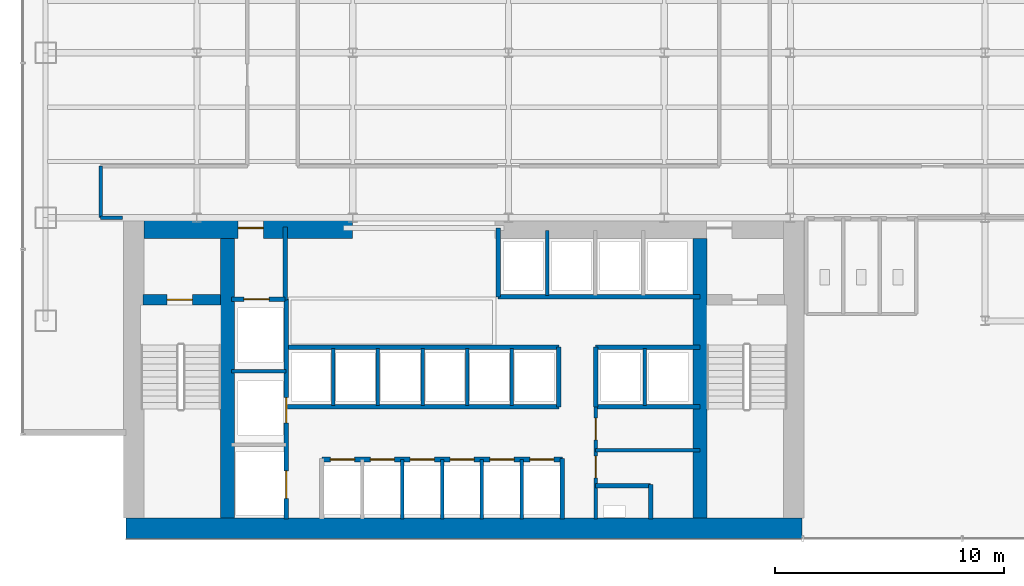
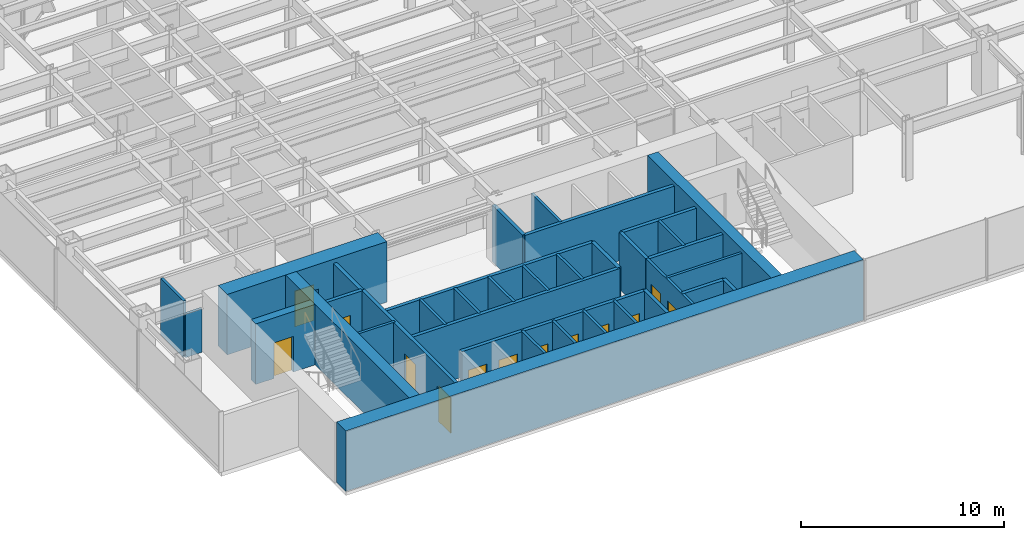
# One storey, part 17 of 22: 36 walls, 13 doors, 13 openings.
"""IFC4 building model written with IfcOpenShell, lengths in metres."""

from ifc_helpers import new_model, si_unit, derived_unit, direction, frame, frame_2d, origin, place, context, subcontext, project, spatial, rectangle, extrude, source, transform, mapped, material, layer, layer_set, type_object, element, fill, save


model = new_model("IFC4")

# Units and contexts
model_context = context("Model", 3, precision=1e-05, world=origin(), true_north=direction((0.0, 1.0)))
body_context = subcontext(model_context, "Body", "Model", "MODEL_VIEW")
ifc_project = project(units=[si_unit("LENGTHUNIT", "METRE"), si_unit("AREAUNIT", "SQUARE_METRE"), si_unit("VOLUMEUNIT", "CUBIC_METRE"), si_unit("PLANEANGLEUNIT", "RADIAN"), si_unit("MASSUNIT", "GRAM", prefix="KILO"), derived_unit("THERMALTRANSMITTANCEUNIT", [(si_unit("POWERUNIT", "WATT"), 1), (si_unit("LENGTHUNIT", "METRE"), -2), (si_unit("THERMODYNAMICTEMPERATUREUNIT", "KELVIN"), -1)])], contexts=[model_context])

# Site, building, storey
site_placement = place(None, origin())
site = spatial("IfcSite", under=ifc_project, at=site_placement, CompositionType="ELEMENT")
building_placement = place(site_placement, origin())
building = spatial("IfcBuilding", under=site, at=building_placement, Name="Skarnbrae Concourse Arena and Tower", CompositionType="ELEMENT")
storey_placement = place(building_placement, frame((0.0, 0.0, 61.699951171875)))
storey = spatial("IfcBuildingStorey", under=building, at=storey_placement, Name="L14", CompositionType="ELEMENT", Elevation=61.699951171875)

# Wall
ifc_material_1 = material(Name="Concrete 70 MPa (C70/85)", Category="concrete")
ifc_layer_1 = layer(ifc_material_1, 0.89990234375)
ifc_layer_set_1 = layer_set([ifc_layer_1], Name="Concrete 70 MPa (C70/85)")
wall_type_1 = type_object("IfcWallType", Name="WALL-CORE-900-C70", PredefinedType="SHEAR", material=ifc_layer_set_1)
shared_shape_1 = source(origin(), body_context, "Body", "SweptSolid", [
    extrude(rectangle(XDim=29.5, YDim=0.89990234375, at=frame_2d((14.75, 0.0))), origin(), (0.0, 0.0, 1.0), 3.650146484375),
])
wall_1_placement = place(storey_placement, frame((4.5, 0.449951171875, 0.0), z_axis=(0.0, 0.0, 1.0), x_axis=(1.0, 0.0, 0.0)))
element("IfcWall", 1, at=wall_1_placement, inside=storey, type_object=wall_type_1, Name="L14 Rear core shear wall CW-S", PredefinedType="SHEAR", context=body_context, shape_type="MappedRepresentation", body=[
    mapped(shared_shape_1, transform((0.0, 0.0, 0.0))),
])

# Wall, opening, door
shared_shape_2 = source(origin(), body_context, "Body", "SweptSolid", [
    extrude(rectangle(XDim=9.099853515625, YDim=0.89990234375, at=frame_2d((4.5498046875, 0.0))), origin(), (0.0, 0.0, 1.0), 3.650146484375),
])
wall_2_placement = place(storey_placement, frame((5.300048828125, 13.550048828125, 0.0), z_axis=(0.0, 0.0, 1.0), x_axis=(1.0, 0.0, 0.0)))
wall_2 = element("IfcWall", 2, at=wall_2_placement, inside=storey, type_object=wall_type_1, Name="L14 Rear core shear wall CW-NW", PredefinedType="SHEAR", context=body_context, shape_type="MappedRepresentation", body=[
    mapped(shared_shape_2, transform((0.0, 0.0, 0.0))),
])
opening_1_placement = place(wall_2_placement, frame((4.10009765625, 0.0, 0.0)))
opening_1 = element("IfcOpeningElement", 3, at=opening_1_placement, cuts=wall_2, Name="Opening DT-03", PredefinedType="OPENING", context=body_context, shape_type="SweptSolid", body=[
    extrude(rectangle(XDim=1.10009765625, YDim=2.14990234375, at=frame_2d((0.550048828125, 1.074951171875))), frame((0.0, 0.4599609375, 0.0), z_axis=(0.0, -1.0, 0.0), x_axis=(1.0, 0.0, 0.0)), (0.0, 0.0, 1.0), 0.919921875),
])
ifc_material_2 = material(Name="Steel CSA G40.21 350W", Category="steel")
door_type_1 = type_object("IfcDoorType", Name="DOOR-FIRE-1100-90M", OperationType="NOTDEFINED", PredefinedType="DOOR", material=ifc_material_2)
shared_shape_3 = source(origin(), body_context, "Body", "SweptSolid", [
    extrude(rectangle(XDim=1.10009765625, YDim=2.14990234375, at=frame_2d((0.550048828125, 1.074951171875))), frame((0.0, 0.02490234375, 0.0), z_axis=(0.0, -1.0, 0.0), x_axis=(1.0, 0.0, 0.0)), (0.0, 0.0, 1.0), 0.050048828125),
])
door_1_placement = place(opening_1_placement, origin())
door_1 = element("IfcDoor", 4, at=door_1_placement, inside=storey, type_object=door_type_1, Name="D-0552 Firefighting Lobby Exit Door", OperationType="SINGLE_SWING_RIGHT", OverallHeight=2.14990234375, OverallWidth=1.10009765625, PredefinedType="DOOR", context=body_context, shape_type="MappedRepresentation", body=[
    mapped(shared_shape_3, transform((0.0, 0.0, 0.0))),
])
fill(opening_1, door_1)

# Walls
ifc_layer_2 = layer(ifc_material_1, 0.60009765625)
ifc_layer_set_2 = layer_set([ifc_layer_2], Name="Concrete 70 MPa (C70/85)")
wall_type_2 = type_object("IfcWallType", Name="WALL-CORE-600-C70", PredefinedType="SHEAR", material=ifc_layer_set_2)
shared_shape_4 = source(origin(), body_context, "Body", "SweptSolid", [
    extrude(rectangle(XDim=12.2001953125, YDim=0.60009765625, at=frame_2d((6.10009765625, 0.0))), origin(), (0.0, 0.0, 1.0), 3.650146484375),
])
for number, where, z_axis, x_axis, name in (
    (5, (8.93994140625, 0.89990234375, 0.0), (0.0, 0.0, 1.0), (0.0, 1.0, 0.0), "L14 Rear core shear wall CW-WEB-W"),
    (6, (29.56005859375, 0.89990234375, 0.0), (0.0, 0.0, 1.0), (0.0, 1.0, 0.0), "L14 Rear core shear wall CW-WEB-E"),
):
    element("IfcWall", number, at=place(storey_placement, frame(where, z_axis=z_axis, x_axis=x_axis)), inside=storey, type_object=wall_type_2, Name=name, PredefinedType="SHEAR", context=body_context, shape_type="MappedRepresentation", body=[
        mapped(shared_shape_4, transform((0.0, 0.0, 0.0))),
    ])

# Wall, opening, door
ifc_material_3 = material(Name="Concrete 50 MPa (C50/60)", Category="concrete")
ifc_layer_3 = layer(ifc_material_3, 0.449951171875)
ifc_layer_set_3 = layer_set([ifc_layer_3], Name="Concrete 50 MPa (C50/60)")
wall_type_3 = type_object("IfcWallType", Name="WALL-CORE-450-C50", PredefinedType="SHEAR", material=ifc_layer_set_3)
shared_shape_5 = source(origin(), body_context, "Body", "SweptSolid", [
    extrude(rectangle(XDim=3.389892578125, YDim=0.449951171875, at=frame_2d((1.69482421875, 0.0))), origin(), (0.0, 0.0, 1.0), 3.650146484375),
])
wall_3_placement = place(storey_placement, frame((5.25, 10.419921875, 0.0), z_axis=(0.0, 0.0, 1.0), x_axis=(1.0, 0.0, 0.0)))
wall_3 = element("IfcWall", 7, at=wall_3_placement, inside=storey, type_object=wall_type_3, Name="L14 Rear core shear wall CW-ST1-N", PredefinedType="SHEAR", context=body_context, shape_type="MappedRepresentation", body=[
    mapped(shared_shape_5, transform((0.0, 0.0, 0.0))),
])
opening_2_placement = place(wall_3_placement, frame((1.050048828125, 0.0, 0.0)))
opening_2 = element("IfcOpeningElement", 8, at=opening_2_placement, cuts=wall_3, Name="Opening DT-03", PredefinedType="OPENING", context=body_context, shape_type="SweptSolid", body=[
    extrude(rectangle(XDim=1.10009765625, YDim=2.14990234375, at=frame_2d((0.550048828125, 1.074951171875))), frame((0.0, 0.23486328125, 0.0), z_axis=(0.0, -1.0, 0.0), x_axis=(1.0, 0.0, 0.0)), (0.0, 0.0, 1.0), 0.469970703125),
])
door_2_placement = place(opening_2_placement, frame((1.10009765625, 0.0, 0.0), z_axis=(0.0, 0.0, 1.0), x_axis=(-1.0, 0.0, 0.0)))
door_2 = element("IfcDoor", 9, at=door_2_placement, inside=storey, type_object=door_type_1, Name="D-0550 Stair ST-1 Door", OperationType="SINGLE_SWING_LEFT", OverallHeight=2.14990234375, OverallWidth=1.10009765625, PredefinedType="DOOR", context=body_context, shape_type="MappedRepresentation", body=[
    mapped(shared_shape_3, transform((0.0, 0.0, 0.0))),
])
fill(opening_2, door_2)

# Walls
ifc_material_4 = material(Name="Gypsum board on cold-formed steel studs", Category="steel")
ifc_layer_4 = layer(ifc_material_4, 0.14990234375)
ifc_layer_set_4 = layer_set([ifc_layer_4], Name="Gypsum board on cold-formed steel studs")
wall_type_4 = type_object("IfcWallType", Name="WALL-PART-150-1HR", PredefinedType="PARTITIONING", material=ifc_layer_set_4)
shared_shape_6 = source(origin(), body_context, "Body", "SweptSolid", [
    extrude(rectangle(XDim=0.9501953125, YDim=0.14990234375, at=frame_2d((0.47509765625, 0.0))), origin(), (0.0, 0.0, 1.0), 2.625),
])
wall_4_placement = place(storey_placement, frame((4.35009765625, 14.0, 0.0), z_axis=(0.0, 0.0, 1.0), x_axis=(-1.0, 0.0, 0.0)))
element("IfcWall", 10, at=wall_4_placement, inside=storey, type_object=wall_type_4, Name="L14 Interior partition wall W-L14-COR-01", PredefinedType="PARTITIONING", context=body_context, shape_type="MappedRepresentation", body=[
    mapped(shared_shape_6, transform((0.0, 0.0, 0.0))),
])
ifc_layer_5 = layer(ifc_material_4, 0.199951171875)
ifc_layer_set_5 = layer_set([ifc_layer_5], Name="Gypsum board on cold-formed steel studs")
wall_type_5 = type_object("IfcWallType", Name="WALL-PART-200-2HR", PredefinedType="PARTITIONING", material=ifc_layer_set_5)
shared_shape_7 = source(origin(), body_context, "Body", "SweptSolid", [
    extrude(rectangle(XDim=3.18017578125, YDim=0.199951171875, at=frame_2d((1.590087890625, 0.0))), origin(), (0.0, 0.0, 1.0), 3.400146484375),
])
wall_5_placement = place(storey_placement, frame((11.449951171875, 10.419921875, 0.0), z_axis=(0.0, 0.0, 1.0), x_axis=(0.0, 1.0, 0.0)))
element("IfcWall", 11, at=wall_5_placement, inside=storey, type_object=wall_type_5, Name="L14 Interior partition wall W-L14-FFL-E", PredefinedType="PARTITIONING", context=body_context, shape_type="MappedRepresentation", body=[
    mapped(shared_shape_7, transform((0.0, 0.0, 0.0))),
])

# Wall, opening, door
shared_shape_8 = source(origin(), body_context, "Body", "SweptSolid", [
    extrude(rectangle(XDim=2.349853515625, YDim=0.199951171875, at=frame_2d((1.1748046875, 0.0))), origin(), (0.0, 0.0, 1.0), 3.400146484375),
])
wall_6_placement = place(storey_placement, frame((9.10009765625, 10.449951171875, 0.0), z_axis=(0.0, 0.0, 1.0), x_axis=(1.0, 0.0, 0.0)))
wall_6 = element("IfcWall", 12, at=wall_6_placement, inside=storey, type_object=wall_type_5, Name="L14 Interior partition wall W-L14-FL1-N", PredefinedType="PARTITIONING", context=body_context, shape_type="MappedRepresentation", body=[
    mapped(shared_shape_8, transform((0.0, 0.0, 0.0))),
])
opening_3_placement = place(wall_6_placement, frame((0.550048828125, 0.0, 0.0)))
opening_3 = element("IfcOpeningElement", 13, at=opening_3_placement, cuts=wall_6, Name="Opening LD-01", PredefinedType="OPENING", context=body_context, shape_type="SweptSolid", body=[
    extrude(rectangle(XDim=1.10009765625, YDim=2.14990234375, at=frame_2d((0.550048828125, 1.074951171875))), frame((0.0, 0.10986328125, 0.0), z_axis=(0.0, -1.0, 0.0), x_axis=(1.0, 0.0, 0.0)), (0.0, 0.0, 1.0), 0.219970703125),
])
door_type_2 = type_object("IfcDoorType", Name="DOOR-LIFT-SLIDE-1100", OperationType="SLIDING_TO_LEFT", PredefinedType="DOOR", material=ifc_material_2)
door_3_placement = place(opening_3_placement, origin())
door_3 = element("IfcDoor", 14, at=door_3_placement, inside=storey, type_object=door_type_2, Name="D-0554 Firefighting Lift Landing Door FL-01", OperationType="SLIDING_TO_LEFT", OverallHeight=2.14990234375, OverallWidth=1.10009765625, PredefinedType="DOOR", context=body_context, shape_type="MappedRepresentation", body=[
    mapped(shared_shape_3, transform((0.0, 0.0, 0.0))),
])
fill(opening_3, door_3)

# Wall, openings, doors
shared_shape_9 = source(origin(), body_context, "Body", "SweptSolid", [
    extrude(rectangle(XDim=9.599853515625, YDim=0.199951171875, at=frame_2d((4.7998046875, 0.0))), origin(), (0.0, 0.0, 1.0), 3.400146484375),
])
wall_7_placement = place(storey_placement, frame((11.5, 0.85009765625, 0.0), z_axis=(0.0, 0.0, 1.0), x_axis=(0.0, 1.0, 0.0)))
wall_7 = element("IfcWall", 15, at=wall_7_placement, inside=storey, type_object=wall_type_5, Name="L14 Interior partition wall W-L14-FL-E", PredefinedType="PARTITIONING", context=body_context, shape_type="MappedRepresentation", body=[
    mapped(shared_shape_9, transform((0.0, 0.0, 0.0))),
])
opening_4_placement = place(wall_7_placement, frame((4.199951171875, 0.0, 0.0)))
opening_4 = element("IfcOpeningElement", 16, at=opening_4_placement, cuts=wall_7, Name="Opening LD-01", PredefinedType="OPENING", context=body_context, shape_type="SweptSolid", body=[
    extrude(rectangle(XDim=1.10009765625, YDim=2.14990234375, at=frame_2d((0.550048828125, 1.074951171875))), frame((0.0, 0.10986328125, 0.0), z_axis=(0.0, -1.0, 0.0), x_axis=(1.0, 0.0, 0.0)), (0.0, 0.0, 1.0), 0.219970703125),
])
opening_5_placement = place(wall_7_placement, frame((0.89990234375, 0.0, 0.0)))
opening_5 = element("IfcOpeningElement", 17, at=opening_5_placement, cuts=wall_7, Name="Opening LD-02", PredefinedType="OPENING", context=body_context, shape_type="SweptSolid", body=[
    extrude(rectangle(XDim=1.199951171875, YDim=2.14990234375, at=frame_2d((0.60009765625, 1.074951171875))), frame((0.0, 0.10986328125, 0.0), z_axis=(0.0, -1.0, 0.0), x_axis=(1.0, 0.0, 0.0)), (0.0, 0.0, 1.0), 0.219970703125),
])
door_4_placement = place(opening_4_placement, frame((1.10009765625, 0.0, 0.0), z_axis=(0.0, 0.0, 1.0), x_axis=(-1.0, 0.0, 0.0)))
door_4 = element("IfcDoor", 18, at=door_4_placement, inside=storey, type_object=door_type_2, Name="D-0555 Firefighting Lift Landing Door FL-02", OperationType="SLIDING_TO_LEFT", OverallHeight=2.14990234375, OverallWidth=1.10009765625, PredefinedType="DOOR", context=body_context, shape_type="MappedRepresentation", body=[
    mapped(shared_shape_3, transform((0.0, 0.0, 0.0))),
])
fill(opening_4, door_4)
door_type_3 = type_object("IfcDoorType", Name="DOOR-LIFT-SLIDE-1200", OperationType="SLIDING_TO_LEFT", PredefinedType="DOOR", material=ifc_material_2)
shared_shape_10 = source(origin(), body_context, "Body", "SweptSolid", [
    extrude(rectangle(XDim=1.199951171875, YDim=2.14990234375, at=frame_2d((0.60009765625, 1.074951171875))), frame((0.0, 0.02490234375, 0.0), z_axis=(0.0, -1.0, 0.0), x_axis=(1.0, 0.0, 0.0)), (0.0, 0.0, 1.0), 0.050048828125),
])
door_5_placement = place(opening_5_placement, frame((1.199951171875, 0.0, 0.0), z_axis=(0.0, 0.0, 1.0), x_axis=(-1.0, 0.0, 0.0)))
door_5 = element("IfcDoor", 19, at=door_5_placement, inside=storey, type_object=door_type_3, Name="D-0556 Service Lift Landing Door SV-01", OperationType="SLIDING_TO_LEFT", OverallHeight=2.14990234375, OverallWidth=1.199951171875, PredefinedType="DOOR", context=body_context, shape_type="MappedRepresentation", body=[
    mapped(shared_shape_10, transform((0.0, 0.0, 0.0))),
])
fill(opening_5, door_5)

# Walls
ifc_layer_6 = layer(ifc_material_4, 0.14990234375)
ifc_layer_set_6 = layer_set([ifc_layer_6], Name="Gypsum board on cold-formed steel studs")
wall_type_6 = type_object("IfcWallType", Name="WALL-PART-150", PredefinedType="PARTITIONING", material=ifc_layer_set_6)
shared_shape_11 = source(origin(), body_context, "Body", "SweptSolid", [
    extrude(rectangle(XDim=2.39990234375, YDim=0.14990234375, at=frame_2d((1.199951171875, 0.0))), origin(), (0.0, 0.0, 1.0), 3.400146484375),
])
wall_8_placement = place(storey_placement, frame((9.10009765625, 7.300048828125, 0.0), z_axis=(0.0, 0.0, 1.0), x_axis=(1.0, 0.0, 0.0)))
element("IfcWall", 20, at=wall_8_placement, inside=storey, type_object=wall_type_6, Name="L14 Interior partition wall W-L14-FL-D2", PredefinedType="PARTITIONING", context=body_context, shape_type="MappedRepresentation", body=[
    mapped(shared_shape_11, transform((0.0, 0.0, 0.0))),
])
shared_shape_12 = source(origin(), body_context, "Body", "SweptSolid", [
    extrude(rectangle(XDim=2.64990234375, YDim=0.199951171875, at=frame_2d((1.324951171875, 0.0))), origin(), (0.0, 0.0, 1.0), 3.400146484375),
])
wall_9_placement = place(storey_placement, frame((23.550048828125, 0.85009765625, 0.0), z_axis=(0.0, 0.0, 1.0), x_axis=(0.0, 1.0, 0.0)))
element("IfcWall", 21, at=wall_9_placement, inside=storey, type_object=wall_type_5, Name="L14 Interior partition wall W-L14-B1-E", PredefinedType="PARTITIONING", context=body_context, shape_type="MappedRepresentation", body=[
    mapped(shared_shape_12, transform((0.0, 0.0, 0.0))),
])

# Wall, openings, doors
shared_shape_13 = source(origin(), body_context, "Body", "SweptSolid", [
    extrude(rectangle(XDim=10.5, YDim=0.199951171875, at=frame_2d((5.25, 0.0))), origin(), (0.0, 0.0, 1.0), 3.400146484375),
])
wall_10_placement = place(storey_placement, frame((13.050048828125, 3.449951171875, 0.0), z_axis=(0.0, 0.0, 1.0), x_axis=(1.0, 0.0, 0.0)))
wall_10 = element("IfcWall", 22, at=wall_10_placement, inside=storey, type_object=wall_type_5, Name="L14 Interior partition wall W-L14-B1-N", PredefinedType="PARTITIONING", context=body_context, shape_type="MappedRepresentation", body=[
    mapped(shared_shape_13, transform((0.0, 0.0, 0.0))),
])
opening_6_placement = place(wall_10_placement, frame((0.3798828125, 0.0, 0.0)))
opening_6 = element("IfcOpeningElement", 23, at=opening_6_placement, cuts=wall_10, Name="Opening LD-03", PredefinedType="OPENING", context=body_context, shape_type="SweptSolid", body=[
    extrude(rectangle(XDim=1.050048828125, YDim=2.14990234375, at=frame_2d((0.52490234375, 1.074951171875))), frame((0.0, 0.10986328125, 0.0), z_axis=(0.0, -1.0, 0.0), x_axis=(1.0, 0.0, 0.0)), (0.0, 0.0, 1.0), 0.219970703125),
])
opening_7_placement = place(wall_10_placement, frame((2.1201171875, 0.0, 0.0)))
opening_7 = element("IfcOpeningElement", 24, at=opening_7_placement, cuts=wall_10, Name="Opening LD-03", PredefinedType="OPENING", context=body_context, shape_type="SweptSolid", body=[
    extrude(rectangle(XDim=1.050048828125, YDim=2.14990234375, at=frame_2d((0.52490234375, 1.074951171875))), frame((0.0, 0.10986328125, 0.0), z_axis=(0.0, -1.0, 0.0), x_axis=(1.0, 0.0, 0.0)), (0.0, 0.0, 1.0), 0.219970703125),
])
opening_8_placement = place(wall_10_placement, frame((3.860107421875, 0.0, 0.0)))
opening_8 = element("IfcOpeningElement", 25, at=opening_8_placement, cuts=wall_10, Name="Opening LD-03", PredefinedType="OPENING", context=body_context, shape_type="SweptSolid", body=[
    extrude(rectangle(XDim=1.050048828125, YDim=2.14990234375, at=frame_2d((0.52490234375, 1.074951171875))), frame((0.0, 0.10986328125, 0.0), z_axis=(0.0, -1.0, 0.0), x_axis=(1.0, 0.0, 0.0)), (0.0, 0.0, 1.0), 0.219970703125),
])
opening_9_placement = place(wall_10_placement, frame((5.60009765625, 0.0, 0.0)))
opening_9 = element("IfcOpeningElement", 26, at=opening_9_placement, cuts=wall_10, Name="Opening LD-03", PredefinedType="OPENING", context=body_context, shape_type="SweptSolid", body=[
    extrude(rectangle(XDim=1.050048828125, YDim=2.14990234375, at=frame_2d((0.52490234375, 1.074951171875))), frame((0.0, 0.10986328125, 0.0), z_axis=(0.0, -1.0, 0.0), x_axis=(1.0, 0.0, 0.0)), (0.0, 0.0, 1.0), 0.219970703125),
])
opening_10_placement = place(wall_10_placement, frame((7.340087890625, 0.0, 0.0)))
opening_10 = element("IfcOpeningElement", 27, at=opening_10_placement, cuts=wall_10, Name="Opening LD-03", PredefinedType="OPENING", context=body_context, shape_type="SweptSolid", body=[
    extrude(rectangle(XDim=1.050048828125, YDim=2.14990234375, at=frame_2d((0.52490234375, 1.074951171875))), frame((0.0, 0.10986328125, 0.0), z_axis=(0.0, -1.0, 0.0), x_axis=(1.0, 0.0, 0.0)), (0.0, 0.0, 1.0), 0.219970703125),
])
opening_11_placement = place(wall_10_placement, frame((9.080078125, 0.0, 0.0)))
opening_11 = element("IfcOpeningElement", 28, at=opening_11_placement, cuts=wall_10, Name="Opening LD-03", PredefinedType="OPENING", context=body_context, shape_type="SweptSolid", body=[
    extrude(rectangle(XDim=1.050048828125, YDim=2.14990234375, at=frame_2d((0.52490234375, 1.074951171875))), frame((0.0, 0.10986328125, 0.0), z_axis=(0.0, -1.0, 0.0), x_axis=(1.0, 0.0, 0.0)), (0.0, 0.0, 1.0), 0.219970703125),
])
ifc_material_5 = material(Name="Bronze anodised aluminium 6063-T6", Category="aluminium")
door_type_4 = type_object("IfcDoorType", Name="DOOR-LIFT-SLIDE-1050", OperationType="SLIDING_TO_LEFT", PredefinedType="DOOR", material=ifc_material_5)
shared_shape_14 = source(origin(), body_context, "Body", "SweptSolid", [
    extrude(rectangle(XDim=1.050048828125, YDim=2.14990234375, at=frame_2d((0.52490234375, 1.074951171875))), frame((0.0, 0.02490234375, 0.0), z_axis=(0.0, -1.0, 0.0), x_axis=(1.0, 0.0, 0.0)), (0.0, 0.0, 1.0), 0.050048828125),
])
door_6_placement = place(opening_6_placement, origin())
door_6 = element("IfcDoor", 29, at=door_6_placement, inside=storey, type_object=door_type_4, Name="D-0557 Passenger Lift Landing Door PL-1A", OperationType="SLIDING_TO_LEFT", OverallHeight=2.14990234375, OverallWidth=1.050048828125, PredefinedType="DOOR", context=body_context, shape_type="MappedRepresentation", body=[
    mapped(shared_shape_14, transform((0.0, 0.0, 0.0))),
])
fill(opening_6, door_6)
door_7_placement = place(opening_7_placement, origin())
door_7 = element("IfcDoor", 30, at=door_7_placement, inside=storey, type_object=door_type_4, Name="D-0558 Passenger Lift Landing Door PL-1B", OperationType="SLIDING_TO_LEFT", OverallHeight=2.14990234375, OverallWidth=1.050048828125, PredefinedType="DOOR", context=body_context, shape_type="MappedRepresentation", body=[
    mapped(shared_shape_14, transform((0.0, 0.0, 0.0))),
])
fill(opening_7, door_7)
door_8_placement = place(opening_8_placement, origin())
door_8 = element("IfcDoor", 31, at=door_8_placement, inside=storey, type_object=door_type_4, Name="D-0559 Passenger Lift Landing Door PL-1C", OperationType="SLIDING_TO_LEFT", OverallHeight=2.14990234375, OverallWidth=1.050048828125, PredefinedType="DOOR", context=body_context, shape_type="MappedRepresentation", body=[
    mapped(shared_shape_14, transform((0.0, 0.0, 0.0))),
])
fill(opening_8, door_8)
door_9_placement = place(opening_9_placement, origin())
door_9 = element("IfcDoor", 32, at=door_9_placement, inside=storey, type_object=door_type_4, Name="D-0560 Passenger Lift Landing Door PL-1D", OperationType="SLIDING_TO_LEFT", OverallHeight=2.14990234375, OverallWidth=1.050048828125, PredefinedType="DOOR", context=body_context, shape_type="MappedRepresentation", body=[
    mapped(shared_shape_14, transform((0.0, 0.0, 0.0))),
])
fill(opening_9, door_9)
door_10_placement = place(opening_10_placement, origin())
door_10 = element("IfcDoor", 33, at=door_10_placement, inside=storey, type_object=door_type_4, Name="D-0561 Passenger Lift Landing Door PL-1E", OperationType="SLIDING_TO_LEFT", OverallHeight=2.14990234375, OverallWidth=1.050048828125, PredefinedType="DOOR", context=body_context, shape_type="MappedRepresentation", body=[
    mapped(shared_shape_14, transform((0.0, 0.0, 0.0))),
])
fill(opening_10, door_10)
door_11_placement = place(opening_11_placement, origin())
door_11 = element("IfcDoor", 34, at=door_11_placement, inside=storey, type_object=door_type_4, Name="D-0562 Passenger Lift Landing Door PL-1F", OperationType="SLIDING_TO_LEFT", OverallHeight=2.14990234375, OverallWidth=1.050048828125, PredefinedType="DOOR", context=body_context, shape_type="MappedRepresentation", body=[
    mapped(shared_shape_14, transform((0.0, 0.0, 0.0))),
])
fill(opening_11, door_11)

# Walls
shared_shape_15 = source(origin(), body_context, "Body", "SweptSolid", [
    extrude(rectangle(XDim=2.599853515625, YDim=0.14990234375, at=frame_2d((1.2998046875, 0.0))), origin(), (0.0, 0.0, 1.0), 3.400146484375),
])
for number, where, z_axis, x_axis, name in (
    (35, (16.56005859375, 0.85009765625, 0.0), (0.0, 0.0, 1.0), (0.0, 1.0, 0.0), "L14 Interior partition wall W-L14-B1-P2"),
    (36, (18.300048828125, 0.85009765625, 0.0), (0.0, 0.0, 1.0), (0.0, 1.0, 0.0), "L14 Interior partition wall W-L14-B1-P3"),
    (37, (20.0400390625, 0.85009765625, 0.0), (0.0, 0.0, 1.0), (0.0, 1.0, 0.0), "L14 Interior partition wall W-L14-B1-P4"),
    (38, (21.780029296875, 0.85009765625, 0.0), (0.0, 0.0, 1.0), (0.0, 1.0, 0.0), "L14 Interior partition wall W-L14-B1-P5"),
):
    element("IfcWall", number, at=place(storey_placement, frame(where, z_axis=z_axis, x_axis=x_axis)), inside=storey, type_object=wall_type_6, Name=name, PredefinedType="PARTITIONING", context=body_context, shape_type="MappedRepresentation", body=[
        mapped(shared_shape_15, transform((0.0, 0.0, 0.0))),
    ])
shared_shape_16 = source(origin(), body_context, "Body", "SweptSolid", [
    extrude(rectangle(XDim=11.849853515625, YDim=0.199951171875, at=frame_2d((5.9248046875, 0.0))), origin(), (0.0, 0.0, 1.0), 3.400146484375),
])
for number, where, z_axis, x_axis, name in (
    (39, (11.550048828125, 5.75, 0.0), (0.0, 0.0, 1.0), (1.0, 0.0, 0.0), "L14 Interior partition wall W-L14-B2-S"),
    (40, (11.550048828125, 8.35009765625, 0.0), (0.0, 0.0, 1.0), (1.0, 0.0, 0.0), "L14 Interior partition wall W-L14-B2-N"),
):
    element("IfcWall", number, at=place(storey_placement, frame(where, z_axis=z_axis, x_axis=x_axis)), inside=storey, type_object=wall_type_5, Name=name, PredefinedType="PARTITIONING", context=body_context, shape_type="MappedRepresentation", body=[
        mapped(shared_shape_16, transform((0.0, 0.0, 0.0))),
    ])
shared_shape_17 = source(origin(), body_context, "Body", "SweptSolid", [
    extrude(rectangle(XDim=2.60009765625, YDim=0.199951171875, at=frame_2d((1.300048828125, 0.0))), origin(), (0.0, 0.0, 1.0), 3.400146484375),
])
for number, where, z_axis, x_axis, name in (
    (41, (23.39990234375, 5.75, 0.0), (0.0, 0.0, 1.0), (0.0, 1.0, 0.0), "L14 Interior partition wall W-L14-B2-E"),
    (42, (25.0, 5.75, 0.0), (0.0, 0.0, 1.0), (0.0, 1.0, 0.0), "L14 Interior partition wall W-L14-B3S-W"),
):
    element("IfcWall", number, at=place(storey_placement, frame(where, z_axis=z_axis, x_axis=x_axis)), inside=storey, type_object=wall_type_5, Name=name, PredefinedType="PARTITIONING", context=body_context, shape_type="MappedRepresentation", body=[
        mapped(shared_shape_17, transform((0.0, 0.0, 0.0))),
    ])
shared_shape_18 = source(origin(), body_context, "Body", "SweptSolid", [
    extrude(rectangle(XDim=2.5, YDim=0.14990234375, at=frame_2d((1.25, 0.0))), origin(), (0.0, 0.0, 1.0), 3.400146484375),
])
for number, where, z_axis, x_axis, name in (
    (43, (13.550048828125, 5.800048828125, 0.0), (0.0, 0.0, 1.0), (0.0, 1.0, 0.0), "L14 Interior partition wall W-L14-B2-P1"),
    (44, (15.5, 5.800048828125, 0.0), (0.0, 0.0, 1.0), (0.0, 1.0, 0.0), "L14 Interior partition wall W-L14-B2-P2"),
    (45, (17.449951171875, 5.800048828125, 0.0), (0.0, 0.0, 1.0), (0.0, 1.0, 0.0), "L14 Interior partition wall W-L14-B2-P3"),
    (46, (19.39990234375, 5.800048828125, 0.0), (0.0, 0.0, 1.0), (0.0, 1.0, 0.0), "L14 Interior partition wall W-L14-B2-P4"),
    (47, (21.35009765625, 5.800048828125, 0.0), (0.0, 0.0, 1.0), (0.0, 1.0, 0.0), "L14 Interior partition wall W-L14-B2-P5"),
    (48, (27.139892578125, 5.800048828125, 0.0), (0.0, 0.0, 1.0), (0.0, 1.0, 0.0), "L14 Interior partition wall W-L14-B3S-P1"),
):
    element("IfcWall", number, at=place(storey_placement, frame(where, z_axis=z_axis, x_axis=x_axis)), inside=storey, type_object=wall_type_6, Name=name, PredefinedType="PARTITIONING", context=body_context, shape_type="MappedRepresentation", body=[
        mapped(shared_shape_18, transform((0.0, 0.0, 0.0))),
    ])
shared_shape_19 = source(origin(), body_context, "Body", "SweptSolid", [
    extrude(rectangle(XDim=8.800048828125, YDim=0.199951171875, at=frame_2d((4.39990234375, 0.0))), origin(), (0.0, 0.0, 1.0), 3.400146484375),
])
wall_11_placement = place(storey_placement, frame((20.75, 10.550048828125, 0.0), z_axis=(0.0, 0.0, 1.0), x_axis=(1.0, 0.0, 0.0)))
element("IfcWall", 49, at=wall_11_placement, inside=storey, type_object=wall_type_5, Name="L14 Interior partition wall W-L14-B3N-S", PredefinedType="PARTITIONING", context=body_context, shape_type="MappedRepresentation", body=[
    mapped(shared_shape_19, transform((0.0, 0.0, 0.0))),
])
shared_shape_20 = source(origin(), body_context, "Body", "SweptSolid", [
    extrude(rectangle(XDim=3.0, YDim=0.199951171875, at=frame_2d((1.5, 0.0))), origin(), (0.0, 0.0, 1.0), 3.400146484375),
])
wall_12_placement = place(storey_placement, frame((20.75, 10.550048828125, 0.0), z_axis=(0.0, 0.0, 1.0), x_axis=(0.0, 1.0, 0.0)))
element("IfcWall", 50, at=wall_12_placement, inside=storey, type_object=wall_type_5, Name="L14 Interior partition wall W-L14-B3N-W", PredefinedType="PARTITIONING", context=body_context, shape_type="MappedRepresentation", body=[
    mapped(shared_shape_20, transform((0.0, 0.0, 0.0))),
])
shared_shape_21 = source(origin(), body_context, "Body", "SweptSolid", [
    extrude(rectangle(XDim=2.849853515625, YDim=0.14990234375, at=frame_2d((1.4248046875, 0.0))), origin(), (0.0, 0.0, 1.0), 3.400146484375),
])
wall_13_placement = place(storey_placement, frame((22.889892578125, 10.60009765625, 0.0), z_axis=(0.0, 0.0, 1.0), x_axis=(0.0, 1.0, 0.0)))
element("IfcWall", 51, at=wall_13_placement, inside=storey, type_object=wall_type_6, Name="L14 Interior partition wall W-L14-B3N-P1", PredefinedType="PARTITIONING", context=body_context, shape_type="MappedRepresentation", body=[
    mapped(shared_shape_21, transform((0.0, 0.0, 0.0))),
])
shared_shape_22 = source(origin(), body_context, "Body", "SweptSolid", [
    extrude(rectangle(XDim=4.550048828125, YDim=0.199951171875, at=frame_2d((2.27490234375, 0.0))), origin(), (0.0, 0.0, 1.0), 3.400146484375),
])
for number, where, z_axis, x_axis, name in (
    (52, (25.0, 8.35009765625, 0.0), (0.0, 0.0, 1.0), (1.0, 0.0, 0.0), "L14 Interior partition wall W-L14-B3S-N"),
    (53, (25.0, 5.75, 0.0), (0.0, 0.0, 1.0), (1.0, 0.0, 0.0), "L14 Interior partition wall W-L14-B3S-S"),
):
    element("IfcWall", number, at=place(storey_placement, frame(where, z_axis=z_axis, x_axis=x_axis)), inside=storey, type_object=wall_type_5, Name=name, PredefinedType="PARTITIONING", context=body_context, shape_type="MappedRepresentation", body=[
        mapped(shared_shape_22, transform((0.0, 0.0, 0.0))),
    ])

# Wall, openings, doors
shared_shape_23 = source(origin(), body_context, "Body", "SweptSolid", [
    extrude(rectangle(XDim=4.89990234375, YDim=0.14990234375, at=frame_2d((2.449951171875, 0.0))), origin(), (0.0, 0.0, 1.0), 3.400146484375),
])
wall_14_placement = place(storey_placement, frame((25.0, 0.85009765625, 0.0), z_axis=(0.0, 0.0, 1.0), x_axis=(0.0, 1.0, 0.0)))
wall_14 = element("IfcWall", 54, at=wall_14_placement, inside=storey, type_object=wall_type_4, Name="L14 Interior partition wall W-L14-CSV-W", PredefinedType="PARTITIONING", context=body_context, shape_type="MappedRepresentation", body=[
    mapped(shared_shape_23, transform((0.0, 0.0, 0.0))),
])
opening_12_placement = place(wall_14_placement, frame((1.800048828125, 0.0, 0.0)))
opening_12 = element("IfcOpeningElement", 55, at=opening_12_placement, cuts=wall_14, Name="Opening DT-04", PredefinedType="OPENING", context=body_context, shape_type="SweptSolid", body=[
    extrude(rectangle(XDim=0.949951171875, YDim=2.14990234375, at=frame_2d((0.47509765625, 1.074951171875))), frame((0.0, 0.0849609375, 0.0), z_axis=(0.0, -1.0, 0.0), x_axis=(1.0, 0.0, 0.0)), (0.0, 0.0, 1.0), 0.169921875),
])
opening_13_placement = place(wall_14_placement, frame((3.449951171875, 0.0, 0.0)))
opening_13 = element("IfcOpeningElement", 56, at=opening_13_placement, cuts=wall_14, Name="Opening DT-04", PredefinedType="OPENING", context=body_context, shape_type="SweptSolid", body=[
    extrude(rectangle(XDim=0.949951171875, YDim=2.14990234375, at=frame_2d((0.47509765625, 1.074951171875))), frame((0.0, 0.0849609375, 0.0), z_axis=(0.0, -1.0, 0.0), x_axis=(1.0, 0.0, 0.0)), (0.0, 0.0, 1.0), 0.169921875),
])
door_type_5 = type_object("IfcDoorType", Name="DOOR-INT-950-45M", OperationType="NOTDEFINED", PredefinedType="DOOR", material=ifc_material_2)
shared_shape_24 = source(origin(), body_context, "Body", "SweptSolid", [
    extrude(rectangle(XDim=0.949951171875, YDim=2.14990234375, at=frame_2d((0.47509765625, 1.074951171875))), frame((0.0, 0.02490234375, 0.0), z_axis=(0.0, -1.0, 0.0), x_axis=(1.0, 0.0, 0.0)), (0.0, 0.0, 1.0), 0.050048828125),
])
door_12_placement = place(opening_12_placement, origin())
door_12 = element("IfcDoor", 57, at=door_12_placement, inside=storey, type_object=door_type_5, Name="D-0563 Electrical Switch Room Door", OperationType="SINGLE_SWING_LEFT", OverallHeight=2.14990234375, OverallWidth=0.949951171875, PredefinedType="DOOR", context=body_context, shape_type="MappedRepresentation", body=[
    mapped(shared_shape_24, transform((0.0, 0.0, 0.0))),
])
fill(opening_12, door_12)
door_13_placement = place(opening_13_placement, origin())
door_13 = element("IfcDoor", 58, at=door_13_placement, inside=storey, type_object=door_type_5, Name="D-0564 Cleaner Store Door", OperationType="SINGLE_SWING_RIGHT", OverallHeight=2.14990234375, OverallWidth=0.949951171875, PredefinedType="DOOR", context=body_context, shape_type="MappedRepresentation", body=[
    mapped(shared_shape_24, transform((0.0, 0.0, 0.0))),
])
fill(opening_13, door_13)

# Walls
shared_shape_25 = source(origin(), body_context, "Body", "SweptSolid", [
    extrude(rectangle(XDim=2.39990234375, YDim=0.199951171875, at=frame_2d((1.199951171875, 0.0))), origin(), (0.0, 0.0, 1.0), 3.400146484375),
])
wall_15_placement = place(storey_placement, frame((25.0, 2.300048828125, 0.0), z_axis=(0.0, 0.0, 1.0), x_axis=(1.0, 0.0, 0.0)))
element("IfcWall", 59, at=wall_15_placement, inside=storey, type_object=wall_type_5, Name="L14 Interior partition wall W-L14-MEP-N", PredefinedType="PARTITIONING", context=body_context, shape_type="MappedRepresentation", body=[
    mapped(shared_shape_25, transform((0.0, 0.0, 0.0))),
])
shared_shape_26 = source(origin(), body_context, "Body", "SweptSolid", [
    extrude(rectangle(XDim=1.5, YDim=0.199951171875, at=frame_2d((0.75, 0.0))), origin(), (0.0, 0.0, 1.0), 3.400146484375),
])
wall_16_placement = place(storey_placement, frame((27.39990234375, 0.85009765625, 0.0), z_axis=(0.0, 0.0, 1.0), x_axis=(0.0, 1.0, 0.0)))
element("IfcWall", 60, at=wall_16_placement, inside=storey, type_object=wall_type_5, Name="L14 Interior partition wall W-L14-MEP-E", PredefinedType="PARTITIONING", context=body_context, shape_type="MappedRepresentation", body=[
    mapped(shared_shape_26, transform((0.0, 0.0, 0.0))),
])
shared_shape_27 = source(origin(), body_context, "Body", "SweptSolid", [
    extrude(rectangle(XDim=2.25, YDim=0.14990234375, at=frame_2d((1.125, 0.0))), origin(), (0.0, 0.0, 1.0), 3.400146484375),
])
wall_17_placement = place(storey_placement, frame((3.39990234375, 14.0, 0.0), z_axis=(0.0, 0.0, 1.0), x_axis=(0.0, 1.0, 0.0)))
element("IfcWall", 61, at=wall_17_placement, inside=storey, type_object=wall_type_4, Name="L14 Interior partition wall W-L14-COR-02", PredefinedType="PARTITIONING", context=body_context, shape_type="MappedRepresentation", body=[
    mapped(shared_shape_27, transform((0.0, 0.0, 0.0))),
])
shared_shape_28 = source(origin(), body_context, "Body", "SweptSolid", [
    extrude(rectangle(XDim=4.550048828125, YDim=0.14990234375, at=frame_2d((2.27490234375, 0.0))), origin(), (0.0, 0.0, 1.0), 3.400146484375),
])
wall_18_placement = place(storey_placement, frame((25.0, 3.85009765625, 0.0), z_axis=(0.0, 0.0, 1.0), x_axis=(1.0, 0.0, 0.0)))
element("IfcWall", 62, at=wall_18_placement, inside=storey, type_object=wall_type_6, Name="L14 Interior partition wall W-L14-CSV-H", PredefinedType="PARTITIONING", context=body_context, shape_type="MappedRepresentation", body=[
    mapped(shared_shape_28, transform((0.0, 0.0, 0.0))),
])

save(model, "model.ifc")
